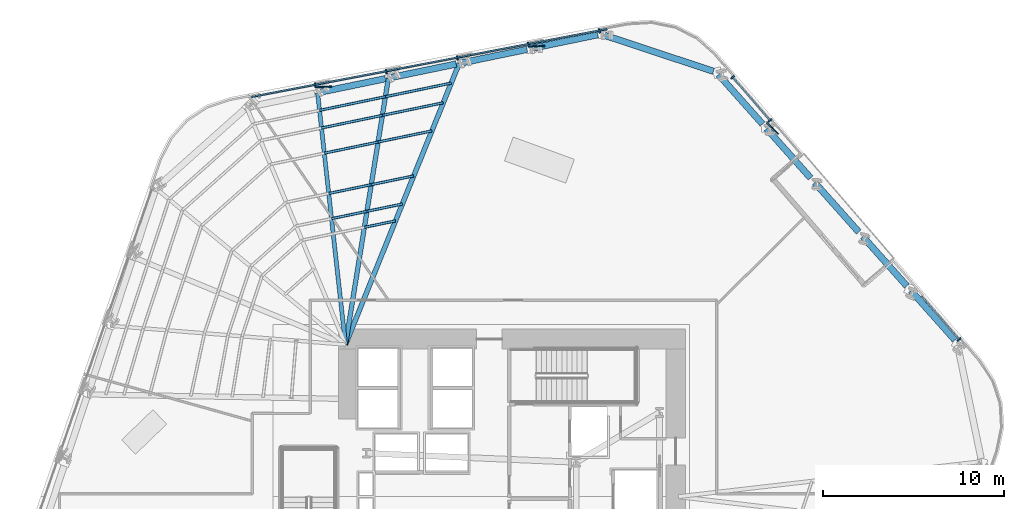
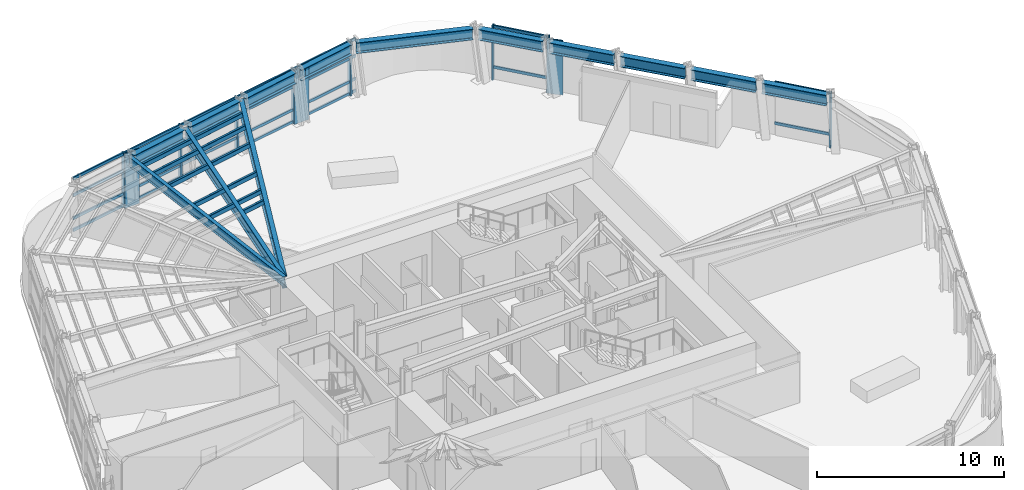
# One storey, part 6 of 18: 30 members, 13 beams, 2 elements without a shape of their own.
"""IFC4 building model written with IfcOpenShell, lengths in metres."""

import ifcopenshell
import ifcopenshell.guid

model = None  # the IFC model being written
_history = None  # IfcOwnerHistory: only IFC2X3 demands one
_inside = {}  # id of a spatial element -> (the spatial element, [elements in it])
_under = {}  # id of a project, library or spatial element -> (it, [spatial elements below it])
_declared = {}  # id of a project -> (the project, [libraries it declares])
_typed = {}  # id of a type object -> (the type object, [elements of that type])
_made_of = {}  # id of a material, layer set ... -> (it, [elements and type objects made of it])


def new_model(schema):
    """Start an empty IFC model of exactly this schema.

    Asked for "IFC4X3", IfcOpenShell would pick the latest addendum, in which some entities
    have other attributes; the version numbers below select the first issue.
    IFC2X3 requires an IfcOwnerHistory on every rooted entity: one is made here for all.
    """
    global model, _history
    if schema == "IFC4X3":
        model = ifcopenshell.file(schema_version=(4, 3, 0, 0))
    else:
        model = ifcopenshell.file(schema=schema)
    _inside.clear()
    _under.clear()
    _declared.clear()
    _typed.clear()
    _made_of.clear()
    _history = None
    if model.schema == "IFC2X3":
        org = make("IfcOrganization", Name="unknown")
        user = make(
            "IfcPersonAndOrganization",
            ThePerson=make("IfcPerson", FamilyName="unknown"),
            TheOrganization=org,
        )
        app = make(
            "IfcApplication",
            ApplicationDeveloper=org,
            Version="unknown",
            ApplicationFullName="unknown",
            ApplicationIdentifier="unknown",
        )
        _history = make(
            "IfcOwnerHistory",
            OwningUser=user,
            OwningApplication=app,
            ChangeAction="ADDED",
            CreationDate=0,
        )
    return model


def make(cls, **values):
    """One entity of the class cls with the attributes given. An attribute that is None is left unset."""
    return model.create_entity(
        cls, **{name: value for name, value in values.items() if value is not None}
    )


def rooted(cls, **values):
    """An entity with a GlobalId (a new one), such as an element, a storey or a relation."""
    return make(cls, GlobalId=ifcopenshell.guid.new(), OwnerHistory=_history, **values)


def si_unit(unit_type, name, prefix=None):
    """IfcSIUnit, for example si_unit("LENGTHUNIT", "METRE", prefix="MILLI")."""
    return make("IfcSIUnit", UnitType=unit_type, Prefix=prefix, Name=name)


def assignment(units):
    """IfcUnitAssignment: the units of a project."""
    return None if units is None else make("IfcUnitAssignment", Units=units)


def point(xyz):
    """IfcCartesianPoint."""
    return None if xyz is None else make("IfcCartesianPoint", Coordinates=xyz)


def direction(xyz):
    """IfcDirection."""
    return None if xyz is None else make("IfcDirection", DirectionRatios=xyz)


def frame(location, z_axis=None, x_axis=None):
    """IfcAxis2Placement3D, a coordinate frame: its origin and axes. An axis left out is left unset."""
    return make(
        "IfcAxis2Placement3D",
        Location=point(location),
        Axis=direction(z_axis),
        RefDirection=direction(x_axis),
    )


def frame_2d(location, x_axis=None):
    """IfcAxis2Placement2D, a coordinate frame in the plane: its origin and x axis."""
    return make(
        "IfcAxis2Placement2D", Location=point(location), RefDirection=direction(x_axis)
    )


def origin():
    """The frame at (0, 0, 0) with its axes left unset."""
    return frame((0.0, 0.0, 0.0))


def origin_2d():
    """The frame at (0, 0) in the plane with its x axis left unset."""
    return frame_2d((0.0, 0.0))


def place(relative_to, where):
    """IfcLocalPlacement: puts the frame where relative to a parent placement (None: the world)."""
    return make(
        "IfcLocalPlacement", PlacementRelTo=relative_to, RelativePlacement=where
    )


def context(
    kind, dimensions, precision=None, world=None, true_north=None, identifier=None
):
    """IfcGeometricRepresentationContext, for example the 3D "Model" context."""
    return make(
        "IfcGeometricRepresentationContext",
        ContextIdentifier=identifier,
        ContextType=kind,
        CoordinateSpaceDimension=dimensions,
        Precision=precision,
        WorldCoordinateSystem=world,
        TrueNorth=true_north,
    )


def subcontext(parent, identifier, kind, view, scale=None):
    """IfcGeometricRepresentationSubContext, for example "Body" below "Model"."""
    return make(
        "IfcGeometricRepresentationSubContext",
        ContextIdentifier=identifier,
        ContextType=kind,
        ParentContext=parent,
        TargetScale=scale,
        TargetView=view,
    )


def project(units=None, contexts=None):
    """IfcProject with its units and contexts."""
    return rooted(
        "IfcProject",
        Name="project",
        RepresentationContexts=contexts,
        UnitsInContext=assignment(units),
    )


def spatial(cls, under=None, at=None, **own):
    """A site, building, storey or space (cls), placed at a placement, below another one or the project."""
    s = rooted(cls, ObjectPlacement=at, **own)
    if under is not None:
        _under.setdefault(under.id(), (under, []))[1].append(s)
    return s


def profile(cls, at=None, kind="AREA", **sizes):
    """A parametric profile (cls). Its sizes go by their IFC names, for example OverallWidth=200.0."""
    return make(cls, ProfileType=kind, Position=at, **sizes)


def rectangle(**sizes):
    """IfcRectangleProfileDef."""
    return profile("IfcRectangleProfileDef", **sizes)


def hollow_rectangle(**sizes):
    """IfcRectangleHollowProfileDef."""
    return profile("IfcRectangleHollowProfileDef", **sizes)


def i_section(**sizes):
    """IfcIShapeProfileDef."""
    return profile("IfcIShapeProfileDef", **sizes)


def extrude(swept, where, along, depth):
    """IfcExtrudedAreaSolid: the profile swept, set in the frame where, extruded along a direction by depth."""
    return make(
        "IfcExtrudedAreaSolid",
        SweptArea=swept,
        Position=where,
        ExtrudedDirection=direction(along),
        Depth=depth,
    )


def shape(context_of_items, identifier, shape_type, items):
    """IfcShapeRepresentation: the items that make up one representation, for example the "Body"."""
    return make(
        "IfcShapeRepresentation",
        ContextOfItems=context_of_items,
        RepresentationIdentifier=identifier,
        RepresentationType=shape_type,
        Items=items,
    )


def material(Name=None, Category=None):
    """IfcMaterial."""
    return make("IfcMaterial", Name=Name, Category=Category)


def layer(
    of_material, thickness, ventilated=None, Name=None, Category=None, Priority=None
):
    """IfcMaterialLayer: one layer of a wall or slab, of a material (None: an air gap)."""
    return make(
        "IfcMaterialLayer",
        Material=of_material,
        LayerThickness=thickness,
        IsVentilated=ventilated,
        Name=Name,
        Category=Category,
        Priority=Priority,
    )


def layer_set(layers, Name=None):
    """IfcMaterialLayerSet."""
    return make("IfcMaterialLayerSet", MaterialLayers=layers, LayerSetName=Name)


def material_profile(
    of_material, cross_section, Name=None, Category=None, Priority=None
):
    """IfcMaterialProfile: a cross section and its material."""
    return make(
        "IfcMaterialProfile",
        Name=Name,
        Material=of_material,
        Profile=cross_section,
        Priority=Priority,
        Category=Category,
    )


def profile_set(profiles, Name=None, composite=None):
    """IfcMaterialProfileSet."""
    return make(
        "IfcMaterialProfileSet",
        Name=Name,
        MaterialProfiles=profiles,
        CompositeProfile=composite,
    )


def made_of(thing, what):
    """Note that an element or type object is made of a material, layer set ...; save() writes the relation."""
    if what is not None:
        _made_of.setdefault(what.id(), (what, []))[1].append(thing)
    return thing


def type_object(cls, material=None, **own):
    """A type object (cls), such as IfcWallType, which elements share."""
    return made_of(rooted(cls, **own), material)


def element(
    cls,
    number,
    at=None,
    inside=None,
    cuts=None,
    type_object=None,
    material=None,
    context=None,
    identifier="Body",
    shape_type=None,
    held_by="IfcProductDefinitionShape",
    body=None,
    shapes=None,
    **own,
):
    """One element of the class cls, such as IfcWall. Its Tag is "e" and its number.

    at: its placement. inside: the storey or other place that contains it. cuts: it is an
    opening in that element (IfcRelVoidsElement). A single representation is given by context,
    identifier, shape_type and body (its items); several are given by shapes. held_by: the class
    of the entity that holds the representations. save() writes the other relations.
    """
    e = rooted(cls, Tag="e%d" % number, ObjectPlacement=at, **own)
    if body is not None:
        shapes = [shape(context, identifier, shape_type, body)]
    if shapes is not None:
        e.Representation = make(held_by, Representations=shapes)
    if inside is not None:
        _inside.setdefault(inside.id(), (inside, []))[1].append(e)
    if cuts is not None:
        rooted(
            "IfcRelVoidsElement", RelatingBuildingElement=cuts, RelatedOpeningElement=e
        )
    if type_object is not None:
        _typed.setdefault(type_object.id(), (type_object, []))[1].append(e)
    return made_of(e, material)


def aggregate(whole, parts):
    """IfcRelAggregates: a whole, such as a stair, and the parts it consists of."""
    return rooted("IfcRelAggregates", RelatingObject=whole, RelatedObjects=parts)


def save(model, path):
    """Write the relations noted so far, then the file.

    IfcRelAggregates (storeys below a building ...), IfcRelContainedInSpatialStructure (elements
    in a storey), IfcRelDefinesByType, IfcRelAssociatesMaterial and IfcRelDeclares: one each for
    every whole, place, type object, material and project.
    """
    for whole, parts in _under.values():
        aggregate(whole, parts)
    for where, things in _inside.values():
        rooted(
            "IfcRelContainedInSpatialStructure",
            RelatedElements=things,
            RelatingStructure=where,
        )
    for kind, things in _typed.values():
        rooted("IfcRelDefinesByType", RelatedObjects=things, RelatingType=kind)
    for what, things in _made_of.values():
        rooted("IfcRelAssociatesMaterial", RelatedObjects=things, RelatingMaterial=what)
    for by, libraries in _declared.values():
        rooted("IfcRelDeclares", RelatingContext=by, RelatedDefinitions=libraries)
    model.write(path)


model = new_model("IFC4")

# Units and contexts
model_context = context("Model", 3, precision=1e-05, world=origin(), true_north=direction((0.0, 1.0)))
body_context = subcontext(model_context, "Body", "Model", "MODEL_VIEW")
ifc_project = project(units=[si_unit("LENGTHUNIT", "METRE"), si_unit("AREAUNIT", "SQUARE_METRE"), si_unit("VOLUMEUNIT", "CUBIC_METRE"), si_unit("PLANEANGLEUNIT", "RADIAN"), si_unit("MASSUNIT", "GRAM", prefix="KILO")], contexts=[model_context])

# Site, building, storey
site_placement = place(None, origin())
site = spatial("IfcSite", under=ifc_project, at=site_placement, CompositionType="ELEMENT")
building_placement = place(site_placement, origin())
building = spatial("IfcBuilding", under=site, at=building_placement, Name="Valkerne Bourse Tower", CompositionType="ELEMENT")
storey_placement = place(building_placement, frame((0.0, 0.0, 69.60009765625)))
storey = spatial("IfcBuildingStorey", under=building, at=storey_placement, Name="L17", CompositionType="ELEMENT", Elevation=69.60009765625)

# Beams
ifc_material_1 = material(Name="Steel ASTM A992", Category="steel")
ifc_material_profile_1 = material_profile(ifc_material_1, i_section(OverallWidth=0.228271484375, OverallDepth=0.607177734375, WebThickness=0.01123046875, FlangeThickness=0.017333984375, FilletRadius=0.017822265625, at=origin_2d()), Name="W24X76")
ifc_profile_set_1 = profile_set([ifc_material_profile_1], Name="Steel ASTM A992")
beam_type_1 = type_object("IfcBeamType", Name="BM-W24X76", PredefinedType="JOIST", material=ifc_profile_set_1)
beam_1_placement = place(storey_placement, frame((36.05712890625, 49.3173828125, 3.2763671875), z_axis=(0.110190406892, -0.993910496086, 0.0), x_axis=(0.993910496086, 0.110190406892, 0.0)))
element("IfcBeam", 1, at=beam_1_placement, inside=storey, type_object=beam_type_1, Name="L17 Radial Composite Floor Beam 10", PredefinedType="JOIST", context=body_context, shape_type="SweptSolid", body=[
    extrude(i_section(OverallWidth=0.228271484375, OverallDepth=0.607177734375, WebThickness=0.01123046875, FlangeThickness=0.017333984375, FilletRadius=0.017822265625, at=origin_2d()), origin(), (0.0, 0.0, 1.0), 14.002685546875),
])
ifc_material_profile_2 = material_profile(ifc_material_1, i_section(OverallWidth=0.255859375, OverallDepth=0.693359375, WebThickness=0.014404296875, FlangeThickness=0.023681640625, FilletRadius=0.02294921875, at=origin_2d()), Name="W27X114")
ifc_profile_set_2 = profile_set([ifc_material_profile_2], Name="Steel ASTM A992")
beam_type_2 = type_object("IfcBeamType", Name="BM-W27X114", PredefinedType="BEAM", material=ifc_profile_set_2)
beam_2_placement = place(storey_placement, frame((39.97021484375, 50.127685546875, 3.233154296875), z_axis=(-0.158884072312, -0.987297245801, 0.0), x_axis=(0.987297245801, -0.158884072312, 0.0)))
element("IfcBeam", 2, at=beam_2_placement, inside=storey, type_object=beam_type_2, Name="L17 Radial Composite Floor Beam 09", PredefinedType="BEAM", context=body_context, shape_type="SweptSolid", body=[
    extrude(i_section(OverallWidth=0.255859375, OverallDepth=0.693359375, WebThickness=0.014404296875, FlangeThickness=0.023681640625, FilletRadius=0.02294921875, at=origin_2d()), origin(), (0.0, 0.0, 1.0), 14.917236328125),
])
ifc_material_profile_3 = material_profile(ifc_material_1, i_section(OverallWidth=0.358154296875, OverallDepth=0.7060546875, WebThickness=0.018310546875, FlangeThickness=0.0302734375, FilletRadius=0.02294921875, at=origin_2d()), Name="W27X178")
ifc_profile_set_3 = profile_set([ifc_material_profile_3], Name="Steel ASTM A992")
beam_type_3 = type_object("IfcBeamType", Name="BM-W27X178", PredefinedType="SPANDREL", material=ifc_profile_set_3)
beam_3_placement = place(storey_placement, frame((71.27587890625, 35.65478515625, 3.226806640625), z_axis=(-0.665163397955, 0.746697833143, 0.0), x_axis=(-0.746697833143, -0.665163397955, 0.0)))
element("IfcBeam", 3, at=beam_3_placement, inside=storey, type_object=beam_type_3, Name="L17 Hexagonal Spandrel Ring Beam 00", PredefinedType="SPANDREL", context=body_context, shape_type="SweptSolid", body=[
    extrude(i_section(OverallWidth=0.358154296875, OverallDepth=0.7060546875, WebThickness=0.018310546875, FlangeThickness=0.0302734375, FilletRadius=0.02294921875, at=origin_2d()), origin(), (0.0, 0.0, 1.0), 3.656005859375),
])
beam_4_placement = place(storey_placement, frame((68.61767578125, 38.638427734375, 3.226806640625), z_axis=(-0.665200627374, 0.746664667265, 0.0), x_axis=(-0.746664667265, -0.665200627374, 0.0)))
element("IfcBeam", 4, at=beam_4_placement, inside=storey, type_object=beam_type_3, Name="L17 Hexagonal Spandrel Ring Beam 01", PredefinedType="SPANDREL", context=body_context, shape_type="SweptSolid", body=[
    extrude(i_section(OverallWidth=0.358154296875, OverallDepth=0.7060546875, WebThickness=0.018310546875, FlangeThickness=0.0302734375, FilletRadius=0.02294921875, at=origin_2d()), origin(), (0.0, 0.0, 1.0), 3.65625),
])
for number, where, z_axis, x_axis, name in (
    (5, (65.95947265625, 41.6220703125, 3.226806640625), (-0.665233793704, 0.74663511819, 0.0), (-0.74663511819, -0.665233793704, 0.0), "L17 Hexagonal Spandrel Ring Beam 02"),
    (6, (63.301025390625, 44.605712890625, 3.226806640625), (-0.665196565376, 0.746668286063, 0.0), (-0.746668286063, -0.665196565376, 0.0), "L17 Hexagonal Spandrel Ring Beam 03"),
):
    element("IfcBeam", number, at=place(storey_placement, frame(where, z_axis=z_axis, x_axis=x_axis)), inside=storey, type_object=beam_type_3, Name=name, PredefinedType="SPANDREL", context=body_context, shape_type="SweptSolid", body=[
        extrude(i_section(OverallWidth=0.358154296875, OverallDepth=0.7060546875, WebThickness=0.018310546875, FlangeThickness=0.0302734375, FilletRadius=0.02294921875, at=origin_2d()), origin(), (0.0, 0.0, 1.0), 3.656005859375),
    ])
beam_5_placement = place(storey_placement, frame((60.642822265625, 47.589111328125, 3.226806640625), z_axis=(-0.665200627374, 0.746664667265, 0.0), x_axis=(-0.746664667265, -0.665200627374, 0.0)))
element("IfcBeam", 7, at=beam_5_placement, inside=storey, type_object=beam_type_3, Name="L17 Hexagonal Spandrel Ring Beam 04", PredefinedType="SPANDREL", context=body_context, shape_type="SweptSolid", body=[
    extrude(i_section(OverallWidth=0.358154296875, OverallDepth=0.7060546875, WebThickness=0.018310546875, FlangeThickness=0.0302734375, FilletRadius=0.02294921875, at=origin_2d()), origin(), (0.0, 0.0, 1.0), 3.65625),
])
beam_6_placement = place(storey_placement, frame((57.936279296875, 50.499267578125, 3.226806640625), z_axis=(-0.949425806532, 0.313991461494, 0.0), x_axis=(-0.313991461494, -0.949425806532, 0.0)))
element("IfcBeam", 8, at=beam_6_placement, inside=storey, type_object=beam_type_3, Name="L17 Hexagonal Spandrel Ring Beam 05", PredefinedType="SPANDREL", context=body_context, shape_type="SweptSolid", body=[
    extrude(i_section(OverallWidth=0.358154296875, OverallDepth=0.7060546875, WebThickness=0.018310546875, FlangeThickness=0.0302734375, FilletRadius=0.02294921875, at=origin_2d()), origin(), (0.0, 0.0, 1.0), 6.38916015625),
])
beam_7_placement = place(storey_placement, frame((51.54248046875, 52.524169921875, 3.226806640625), z_axis=(-0.979232998811, -0.202738092225, 0.0), x_axis=(0.202738092225, -0.979232998811, 0.0)))
element("IfcBeam", 9, at=beam_7_placement, inside=storey, type_object=beam_type_3, Name="L17 Hexagonal Spandrel Ring Beam 06", PredefinedType="SPANDREL", context=body_context, shape_type="SweptSolid", body=[
    extrude(i_section(OverallWidth=0.358154296875, OverallDepth=0.7060546875, WebThickness=0.018310546875, FlangeThickness=0.0302734375, FilletRadius=0.02294921875, at=origin_2d()), origin(), (0.0, 0.0, 1.0), 3.656005859375),
])
for number, where, z_axis, x_axis, name in (
    (10, (47.62939453125, 51.7138671875, 3.226806640625), (-0.979230253782, -0.202751350371, 0.0), (0.202751350371, -0.979230253782, 0.0), "L17 Hexagonal Spandrel Ring Beam 07"),
    (11, (43.716552734375, 50.903564453125, 3.226806640625), (-0.979216992874, -0.202815386167, 0.0), (0.202815386167, -0.979216992874, 0.0), "L17 Hexagonal Spandrel Ring Beam 08"),
):
    element("IfcBeam", number, at=place(storey_placement, frame(where, z_axis=z_axis, x_axis=x_axis)), inside=storey, type_object=beam_type_3, Name=name, PredefinedType="SPANDREL", context=body_context, shape_type="SweptSolid", body=[
        extrude(i_section(OverallWidth=0.358154296875, OverallDepth=0.7060546875, WebThickness=0.018310546875, FlangeThickness=0.0302734375, FilletRadius=0.02294921875, at=origin_2d()), origin(), (0.0, 0.0, 1.0), 3.65576171875),
    ])
beam_8_placement = place(storey_placement, frame((39.8037109375, 50.09326171875, 3.226806640625), z_axis=(-0.9792197396, -0.202802124193, 0.0), x_axis=(0.202802124193, -0.9792197396, 0.0)))
element("IfcBeam", 12, at=beam_8_placement, inside=storey, type_object=beam_type_3, Name="L17 Hexagonal Spandrel Ring Beam 09", PredefinedType="SPANDREL", context=body_context, shape_type="SweptSolid", body=[
    extrude(i_section(OverallWidth=0.358154296875, OverallDepth=0.7060546875, WebThickness=0.018310546875, FlangeThickness=0.0302734375, FilletRadius=0.02294921875, at=origin_2d()), origin(), (0.0, 0.0, 1.0), 3.656005859375),
])
ifc_material_profile_4 = material_profile(ifc_material_1, i_section(OverallWidth=0.26806640625, OverallDepth=0.76953125, WebThickness=0.015625, FlangeThickness=0.025390625, FilletRadius=0.025390625, at=origin_2d()), Name="W30X132")
ifc_profile_set_4 = profile_set([ifc_material_profile_4], Name="Steel ASTM A992")
beam_type_4 = type_object("IfcBeamType", Name="BM-W30X132", PredefinedType="BEAM", material=ifc_profile_set_4)
beam_9_placement = place(storey_placement, frame((43.883056640625, 50.93798828125, 3.195068359375), z_axis=(-0.374871489488, -0.927076785584, 0.0), x_axis=(0.927076785584, -0.374871489488, 0.0)))
element("IfcBeam", 13, at=beam_9_placement, inside=storey, type_object=beam_type_4, Name="L17 Radial Composite Floor Beam 08", PredefinedType="BEAM", context=body_context, shape_type="SweptSolid", body=[
    extrude(i_section(OverallWidth=0.26806640625, OverallDepth=0.76953125, WebThickness=0.015625, FlangeThickness=0.025390625, FilletRadius=0.025390625, at=origin_2d()), origin(), (0.0, 0.0, 1.0), 16.76025390625),
])

# Curtain wall, members
ifc_material_2 = material(Name="Aluminium AA 6063-T6", Category="aluminium")
ifc_layer = layer(ifc_material_2, 0.22509765625)
ifc_layer_set = layer_set([ifc_layer], Name="Aluminium AA 6063-T6")
curtain_wall_type = type_object("IfcCurtainWallType", Name="CW-01", PredefinedType="NOTDEFINED", material=ifc_layer_set)
curtain_wall_1_placement = place(storey_placement, origin())
curtain_wall_1 = element("IfcCurtainWall", 14, at=curtain_wall_1_placement, inside=storey, type_object=curtain_wall_type, Name="L17 Hexagonal Stick Curtain Wall Face 1", PredefinedType="NOTDEFINED")
ifc_material_profile_5 = material_profile(ifc_material_2, rectangle(XDim=0.090087890625, YDim=0.239990234375, at=origin_2d()), Name="CWM-90X240")
ifc_profile_set_5 = profile_set([ifc_material_profile_5], Name="Aluminium AA 6063-T6")
member_type_1 = type_object("IfcMemberType", Name="CW-MUL-240X90", PredefinedType="MULLION", material=ifc_profile_set_5)
member_1_placement = place(storey_placement, frame((71.502685546875, 35.680908203125, 0.0), z_axis=(0.0, 0.0, 1.0), x_axis=(-0.653417213968, 0.756997981827, 0.0)))
member_1 = element("IfcMember", 15, at=member_1_placement, type_object=member_type_1, Name="CW-L17-F1 Jamb Mullion 00A", PredefinedType="MULLION", context=body_context, shape_type="SweptSolid", body=[
    extrude(rectangle(XDim=0.090087890625, YDim=0.239990234375, at=origin_2d()), origin(), (0.0, 0.0, 1.0), 3.579833984375),
])
member_2_placement = place(storey_placement, frame((61.05859375, 47.78076171875, 0.0), z_axis=(0.0, 0.0, 1.0), x_axis=(-0.653431554417, 0.756985603358, 0.0)))
member_2 = element("IfcMember", 16, at=member_2_placement, type_object=member_type_1, Name="CW-L17-F1 Jamb Mullion 04A", PredefinedType="MULLION", context=body_context, shape_type="SweptSolid", body=[
    extrude(rectangle(XDim=0.090087890625, YDim=0.239990234375, at=origin_2d()), origin(), (0.0, 0.0, 1.0), 3.579833984375),
])
member_3_placement = place(storey_placement, frame((58.996337890625, 50.169677734375, 0.0), z_axis=(0.0, 0.0, 1.0), x_axis=(-0.653431554417, 0.756985603358, 0.0)))
member_3 = element("IfcMember", 17, at=member_3_placement, type_object=member_type_1, Name="CW-L17-F1 Jamb Mullion 04B", PredefinedType="MULLION", context=body_context, shape_type="SweptSolid", body=[
    extrude(rectangle(XDim=0.090087890625, YDim=0.239990234375, at=origin_2d()), origin(), (0.0, 0.0, 1.0), 3.579833984375),
])

curtain_wall_2_placement = place(storey_placement, origin())
curtain_wall_2 = element("IfcCurtainWall", 18, at=curtain_wall_2_placement, inside=storey, type_object=curtain_wall_type, Name="L17 Hexagonal Stick Curtain Wall Face 2", PredefinedType="NOTDEFINED")
member_4_placement = place(storey_placement, frame((51.633544921875, 52.73388671875, 0.0), z_axis=(0.0, 0.0, 1.0), x_axis=(-0.982286837182, -0.187383482463, 0.0)))
member_4 = element("IfcMember", 19, at=member_4_placement, type_object=member_type_1, Name="CW-L17-F2 Jamb Mullion 00A", PredefinedType="MULLION", context=body_context, shape_type="SweptSolid", body=[
    extrude(rectangle(XDim=0.090087890625, YDim=0.239990234375, at=origin_2d()), origin(), (0.0, 0.0, 1.0), 3.579833984375),
])
member_5_placement = place(storey_placement, frame((47.708251953125, 51.985107421875, 0.0), z_axis=(0.0, 0.0, 1.0), x_axis=(-0.982285958477, -0.187388088679, 0.0)))
member_5 = element("IfcMember", 20, at=member_5_placement, type_object=member_type_1, Name="CW-L17-F2 Jamb Mullion 01A", PredefinedType="MULLION", context=body_context, shape_type="SweptSolid", body=[
    extrude(rectangle(XDim=0.090087890625, YDim=0.239990234375, at=origin_2d()), origin(), (0.0, 0.0, 1.0), 3.579833984375),
])
member_6_placement = place(storey_placement, frame((43.783203125, 51.236083984375, 0.0), z_axis=(0.0, 0.0, 1.0), x_axis=(-0.982285958477, -0.187388088679, 0.0)))
member_6 = element("IfcMember", 21, at=member_6_placement, type_object=member_type_1, Name="CW-L17-F2 Jamb Mullion 02A", PredefinedType="MULLION", context=body_context, shape_type="SweptSolid", body=[
    extrude(rectangle(XDim=0.090087890625, YDim=0.239990234375, at=origin_2d()), origin(), (0.0, 0.0, 1.0), 3.579833984375),
])
member_7_placement = place(storey_placement, frame((39.85791015625, 50.4873046875, 0.0), z_axis=(0.0, 0.0, 1.0), x_axis=(-0.982290564542, -0.187363942135, 0.0)))
member_7 = element("IfcMember", 22, at=member_7_placement, type_object=member_type_1, Name="CW-L17-F2 Jamb Mullion 03A", PredefinedType="MULLION", context=body_context, shape_type="SweptSolid", body=[
    extrude(rectangle(XDim=0.090087890625, YDim=0.239990234375, at=origin_2d()), origin(), (0.0, 0.0, 1.0), 3.579833984375),
])
member_8_placement = place(storey_placement, frame((35.9326171875, 49.73876953125, 0.0), z_axis=(0.0, 0.0, 1.0), x_axis=(-0.982285958477, -0.187388088679, 0.0)))
member_8 = element("IfcMember", 23, at=member_8_placement, type_object=member_type_1, Name="CW-L17-F2 Jamb Mullion 04A", PredefinedType="MULLION", context=body_context, shape_type="SweptSolid", body=[
    extrude(rectangle(XDim=0.090087890625, YDim=0.239990234375, at=origin_2d()), origin(), (0.0, 0.0, 1.0), 3.579833984375),
])

# Member
ifc_material_profile_6 = material_profile(ifc_material_2, rectangle(XDim=0.090087890625, YDim=0.179931640625, at=origin_2d()), Name="CWT-90X180")
ifc_profile_set_6 = profile_set([ifc_material_profile_6], Name="Aluminium AA 6063-T6")
member_type_2 = type_object("IfcMemberType", Name="CW-TRN-180X90", PredefinedType="USERDEFINED", material=ifc_profile_set_6)
member_9_placement = place(storey_placement, frame((71.502685546875, 35.680908203125, 0.849853515625), z_axis=(-0.653412383349, 0.757002151441, 0.0), x_axis=(-0.757002151441, -0.653412383349, 0.0)))
member_9 = element("IfcMember", 24, at=member_9_placement, type_object=member_type_2, Name="CW-L17-F1 Bay Transom 00-1", ObjectType="TRANSOM", PredefinedType="USERDEFINED", context=body_context, shape_type="SweptSolid", body=[
    extrude(rectangle(XDim=0.090087890625, YDim=0.179931640625, at=origin_2d()), origin(), (0.0, 0.0, 1.0), 3.15576171875),
])

member_10_placement = place(storey_placement, frame((71.502685546875, 35.680908203125, 3.5), z_axis=(-0.653412383349, 0.757002151441, 0.0), x_axis=(-0.757002151441, -0.653412383349, 0.0)))
member_10 = element("IfcMember", 25, at=member_10_placement, type_object=member_type_2, Name="CW-L17-F1 Bay Transom 00-2", ObjectType="TRANSOM", PredefinedType="USERDEFINED", context=body_context, shape_type="SweptSolid", body=[
    extrude(rectangle(XDim=0.090087890625, YDim=0.179931640625, at=origin_2d()), origin(), (0.0, 0.0, 1.0), 3.15576171875),
])

member_11_placement = place(storey_placement, frame((61.05859375, 47.78076171875, 0.849853515625), z_axis=(-0.653456713334, 0.7569638854, 0.0), x_axis=(-0.7569638854, -0.653456713334, 0.0)))
member_11 = element("IfcMember", 26, at=member_11_placement, type_object=member_type_2, Name="CW-L17-F1 Bay Transom 04-1", ObjectType="TRANSOM", PredefinedType="USERDEFINED", context=body_context, shape_type="SweptSolid", body=[
    extrude(rectangle(XDim=0.090087890625, YDim=0.179931640625, at=origin_2d()), origin(), (0.0, 0.0, 1.0), 3.156005859375),
])

member_12_placement = place(storey_placement, frame((61.05859375, 47.78076171875, 3.5), z_axis=(-0.653456713334, 0.7569638854, 0.0), x_axis=(-0.7569638854, -0.653456713334, 0.0)))
member_12 = element("IfcMember", 27, at=member_12_placement, type_object=member_type_2, Name="CW-L17-F1 Bay Transom 04-2", ObjectType="TRANSOM", PredefinedType="USERDEFINED", context=body_context, shape_type="SweptSolid", body=[
    extrude(rectangle(XDim=0.090087890625, YDim=0.179931640625, at=origin_2d()), origin(), (0.0, 0.0, 1.0), 3.156005859375),
])

aggregate(curtain_wall_1, [member_1, member_9, member_10, member_2, member_3, member_11, member_12])

member_13_placement = place(storey_placement, frame((52.04248046875, 52.83203125, 0.119873046875), z_axis=(-0.982287299975, -0.187381056427, 0.0), x_axis=(0.187381056427, -0.982287299975, 0.0)))
member_13 = element("IfcMember", 28, at=member_13_placement, type_object=member_type_2, Name="CW-L17-F2 Continuous Face Transom 1", ObjectType="TRANSOM", PredefinedType="USERDEFINED", context=body_context, shape_type="SweptSolid", body=[
    extrude(rectangle(XDim=0.090087890625, YDim=0.179931640625, at=origin_2d()), origin(), (0.0, 0.0, 1.0), 19.980224609375),
])

member_14_placement = place(storey_placement, frame((52.04248046875, 52.83203125, 0.89990234375), z_axis=(-0.982287299975, -0.187381056427, 0.0), x_axis=(0.187381056427, -0.982287299975, 0.0)))
member_14 = element("IfcMember", 29, at=member_14_placement, type_object=member_type_2, Name="CW-L17-F2 Continuous Face Transom 2", ObjectType="TRANSOM", PredefinedType="USERDEFINED", context=body_context, shape_type="SweptSolid", body=[
    extrude(rectangle(XDim=0.090087890625, YDim=0.179931640625, at=origin_2d()), origin(), (0.0, 0.0, 1.0), 19.980224609375),
])

member_15_placement = place(storey_placement, frame((52.04248046875, 52.83203125, 2.39990234375), z_axis=(-0.982287299975, -0.187381056427, 0.0), x_axis=(0.187381056427, -0.982287299975, 0.0)))
member_15 = element("IfcMember", 30, at=member_15_placement, type_object=member_type_2, Name="CW-L17-F2 Continuous Face Transom 3", ObjectType="TRANSOM", PredefinedType="USERDEFINED", context=body_context, shape_type="SweptSolid", body=[
    extrude(rectangle(XDim=0.090087890625, YDim=0.179931640625, at=origin_2d()), origin(), (0.0, 0.0, 1.0), 19.980224609375),
])

member_16_placement = place(storey_placement, frame((52.04248046875, 52.83203125, 3.5), z_axis=(-0.982287299975, -0.187381056427, 0.0), x_axis=(0.187381056427, -0.982287299975, 0.0)))
member_16 = element("IfcMember", 31, at=member_16_placement, type_object=member_type_2, Name="CW-L17-F2 Continuous Face Transom 4", ObjectType="TRANSOM", PredefinedType="USERDEFINED", context=body_context, shape_type="SweptSolid", body=[
    extrude(rectangle(XDim=0.090087890625, YDim=0.179931640625, at=origin_2d()), origin(), (0.0, 0.0, 1.0), 19.980224609375),
])

aggregate(curtain_wall_2, [member_13, member_14, member_15, member_16, member_4, member_5, member_6, member_7, member_8])

# Members
ifc_material_3 = material(Name="Bronze Anodised Aluminium AA 6063-T6", Category="aluminium")
ifc_material_profile_7 = material_profile(ifc_material_3, rectangle(XDim=0.070068359375, YDim=0.89990234375, at=origin_2d()), Name="FIN-70X900")
ifc_profile_set_7 = profile_set([ifc_material_profile_7], Name="Bronze Anodised Aluminium AA 6063-T6")
member_type_3 = type_object("IfcMemberType", Name="FIN-SOLAR-900", PredefinedType="USERDEFINED", material=ifc_profile_set_7)
for number, where, z_axis, x_axis, name in (
    (32, (61.19677734375, 47.34521484375, 0.00390625), (0.0, 0.0, 1.0), (0.689266673771, 0.724507731103, 0.0), "L17 Bronze Anodised Solar Fin F1-04"),
    (33, (48.154541015625, 51.886962890625, 0.00390625), (0.0, 0.0, 1.0), (-0.043830942374, 0.999038962449, 0.0), "L17 Bronze Anodised Solar Fin F2-01"),
    (34, (36.37890625, 49.640625, 0.00390625), (0.0, 0.0, 1.0), (-0.043830942374, 0.999038962449, 0.0), "L17 Bronze Anodised Solar Fin F2-04"),
):
    element("IfcMember", number, at=place(storey_placement, frame(where, z_axis=z_axis, x_axis=x_axis)), inside=storey, type_object=member_type_3, Name=name, ObjectType="SOLAR_FIN", PredefinedType="USERDEFINED", context=body_context, shape_type="SweptSolid", body=[
        extrude(rectangle(XDim=0.070068359375, YDim=0.89990234375, at=origin_2d()), origin(), (0.0, 0.0, 1.0), 3.572021484375),
    ])
ifc_material_4 = material(Name="Steel ASTM A500 Grade C", Category="steel")
ifc_material_profile_8 = material_profile(ifc_material_4, hollow_rectangle(XDim=0.14990234375, YDim=0.300048828125, WallThickness=0.012451171875, OuterFilletRadius=0.02490234375, at=origin_2d()), Name="HSS300X150X12.5")
ifc_profile_set_8 = profile_set([ifc_material_profile_8], Name="Steel ASTM A500 Grade C")
member_type_4 = type_object("IfcMemberType", Name="MBR-HSS300X150X12.5", PredefinedType="PURLIN", material=ifc_profile_set_8)
member_17_placement = place(storey_placement, frame((40.364501953125, 42.23681640625, 3.419921875), z_axis=(-0.97920623579, -0.202867315725, 0.0), x_axis=(0.202867315725, -0.97920623579, 0.0)))
element("IfcMember", 35, at=member_17_placement, inside=storey, type_object=member_type_4, Name="L17 Secondary Composite Floor Purlin K-08", PredefinedType="PURLIN", context=body_context, shape_type="SweptSolid", body=[
    extrude(hollow_rectangle(XDim=0.14990234375, YDim=0.300048828125, WallThickness=0.012451171875, OuterFilletRadius=0.02490234375, at=origin_2d()), origin(), (0.0, 0.0, 1.0), 1.75830078125),
])
member_18_placement = place(storey_placement, frame((40.74169921875, 43.1689453125, 3.419921875), z_axis=(-0.97924286257, -0.202690444043, 0.0), x_axis=(0.202690444043, -0.97924286257, 0.0)))
element("IfcMember", 36, at=member_18_placement, inside=storey, type_object=member_type_4, Name="L17 Secondary Composite Floor Purlin M-08", PredefinedType="PURLIN", context=body_context, shape_type="SweptSolid", body=[
    extrude(hollow_rectangle(XDim=0.14990234375, YDim=0.300048828125, WallThickness=0.012451171875, OuterFilletRadius=0.02490234375, at=origin_2d()), origin(), (0.0, 0.0, 1.0), 1.998291015625),
])
member_19_placement = place(storey_placement, frame((38.784912109375, 42.763916015625, 3.419921875), z_axis=(-0.979208552423, -0.202856133411, 0.0), x_axis=(0.202856133411, -0.979208552423, 0.0)))
element("IfcMember", 37, at=member_19_placement, inside=storey, type_object=member_type_4, Name="L17 Secondary Composite Floor Purlin M-09", PredefinedType="PURLIN", context=body_context, shape_type="SweptSolid", body=[
    extrude(hollow_rectangle(XDim=0.14990234375, YDim=0.300048828125, WallThickness=0.012451171875, OuterFilletRadius=0.02490234375, at=origin_2d()), origin(), (0.0, 0.0, 1.0), 1.997802734375),
])
member_20_placement = place(storey_placement, frame((42.375244140625, 47.208984375, 3.419921875), z_axis=(-0.97921584743, -0.202820916433, 0.0), x_axis=(0.202820916433, -0.97921584743, 0.0)))
element("IfcMember", 38, at=member_20_placement, inside=storey, type_object=member_type_4, Name="L17 Secondary Composite Floor Purlin O-08", PredefinedType="PURLIN", context=body_context, shape_type="SweptSolid", body=[
    extrude(hollow_rectangle(XDim=0.14990234375, YDim=0.300048828125, WallThickness=0.012451171875, OuterFilletRadius=0.02490234375, at=origin_2d()), origin(), (0.0, 0.0, 1.0), 3.037109375),
])
member_21_placement = place(storey_placement, frame((39.4013671875, 46.593017578125, 3.419921875), z_axis=(-0.979231810308, -0.202743832657, 0.0), x_axis=(0.202743832657, -0.979231810308, 0.0)))
element("IfcMember", 39, at=member_21_placement, inside=storey, type_object=member_type_4, Name="L17 Secondary Composite Floor Purlin O-09", PredefinedType="PURLIN", context=body_context, shape_type="SweptSolid", body=[
    extrude(hollow_rectangle(XDim=0.14990234375, YDim=0.300048828125, WallThickness=0.012451171875, OuterFilletRadius=0.02490234375, at=origin_2d()), origin(), (0.0, 0.0, 1.0), 3.036865234375),
])
member_22_placement = place(storey_placement, frame((41.369873046875, 44.722900390625, 3.419921875), z_axis=(-0.979210228558, -0.202848042355, 0.0), x_axis=(0.202848042355, -0.979210228558, 0.0)))
element("IfcMember", 40, at=member_22_placement, inside=storey, type_object=member_type_4, Name="L17 Secondary Composite Floor Purlin Z-08", PredefinedType="PURLIN", context=body_context, shape_type="SweptSolid", body=[
    extrude(hollow_rectangle(XDim=0.14990234375, YDim=0.300048828125, WallThickness=0.012451171875, OuterFilletRadius=0.02490234375, at=origin_2d()), origin(), (0.0, 0.0, 1.0), 2.3974609375),
])
member_23_placement = place(storey_placement, frame((39.022216796875, 44.236572265625, 3.419921875), z_axis=(-0.979234636472, -0.202730182096, 0.0), x_axis=(0.202730182096, -0.979234636472, 0.0)))
element("IfcMember", 41, at=member_23_placement, inside=storey, type_object=member_type_4, Name="L17 Secondary Composite Floor Purlin Z-09", PredefinedType="PURLIN", context=body_context, shape_type="SweptSolid", body=[
    extrude(hollow_rectangle(XDim=0.14990234375, YDim=0.300048828125, WallThickness=0.012451171875, OuterFilletRadius=0.02490234375, at=origin_2d()), origin(), (0.0, 0.0, 1.0), 2.397705078125),
])
for number, where, z_axis, x_axis, name in (
    (42, (43.00341796875, 48.7626953125, 3.419921875), (-0.979230274945, -0.202751248164, 0.0), (0.202751248164, -0.979230274945, 0.0), "L17 Secondary Composite Floor Purlin T-08"),
    (43, (39.63818359375, 48.06591796875, 3.419921875), (-0.979213245683, -0.202833477213, 0.0), (0.202833477213, -0.979213245683, 0.0), "L17 Secondary Composite Floor Purlin T-09"),
):
    element("IfcMember", number, at=place(storey_placement, frame(where, z_axis=z_axis, x_axis=x_axis)), inside=storey, type_object=member_type_4, Name=name, PredefinedType="PURLIN", context=body_context, shape_type="SweptSolid", body=[
        extrude(hollow_rectangle(XDim=0.14990234375, YDim=0.300048828125, WallThickness=0.012451171875, OuterFilletRadius=0.02490234375, at=origin_2d()), origin(), (0.0, 0.0, 1.0), 3.4365234375),
    ])
for number, where, z_axis, x_axis, name in (
    (44, (43.443359375, 49.850341796875, 3.419921875), (-0.97922130002, -0.202794589639, 0.0), (0.202794589639, -0.97922130002, 0.0), "L17 Secondary Composite Floor Purlin U-08"),
    (45, (39.80419921875, 49.0966796875, 3.419921875), (-0.979234343554, -0.202731596955, 0.0), (0.202731596955, -0.979234343554, 0.0), "L17 Secondary Composite Floor Purlin U-09"),
):
    element("IfcMember", number, at=place(storey_placement, frame(where, z_axis=z_axis, x_axis=x_axis)), inside=storey, type_object=member_type_4, Name=name, PredefinedType="PURLIN", context=body_context, shape_type="SweptSolid", body=[
        extrude(hollow_rectangle(XDim=0.14990234375, YDim=0.300048828125, WallThickness=0.012451171875, OuterFilletRadius=0.02490234375, at=origin_2d()), origin(), (0.0, 0.0, 1.0), 3.71630859375),
    ])

save(model, "model.ifc")
